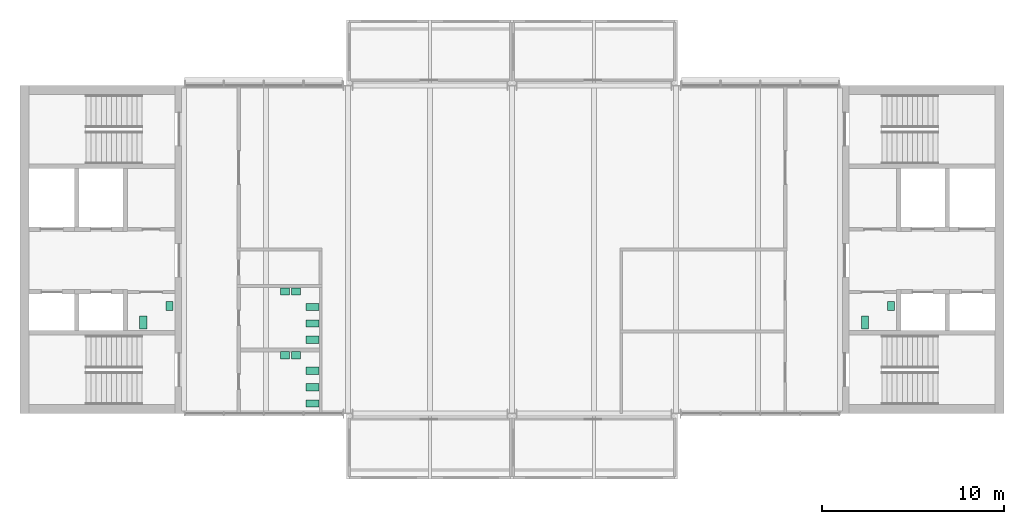
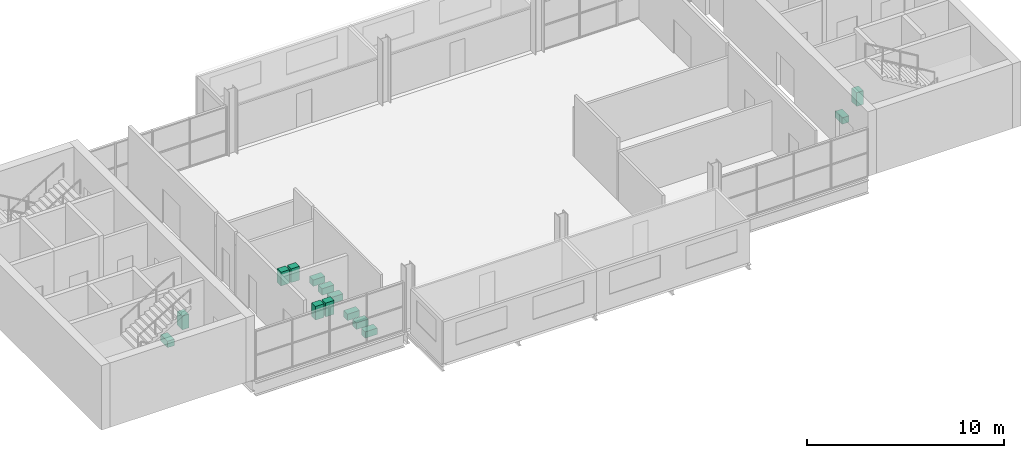
# One storey, part 10 of 10: 14 sanitary terminals.
"""IFC4 building model written with IfcOpenShell, lengths in metres."""

from ifc_helpers import new_model, si_unit, direction, frame, origin, origin_2d, place, context, subcontext, project, spatial, rectangle, extrude, element, save


model = new_model("IFC4")

# Units and contexts
model_context = context("Model", 3, precision=1e-05, world=origin(), true_north=direction((0.0, 1.0)))
body_context = subcontext(model_context, "Body", "Model", "MODEL_VIEW")
ifc_project = project(units=[si_unit("LENGTHUNIT", "METRE"), si_unit("AREAUNIT", "SQUARE_METRE"), si_unit("VOLUMEUNIT", "CUBIC_METRE"), si_unit("PLANEANGLEUNIT", "RADIAN"), si_unit("MASSUNIT", "GRAM", prefix="KILO")], contexts=[model_context])

# Site, building, storey
site_placement = place(None, origin())
site = spatial("IfcSite", under=ifc_project, at=site_placement, CompositionType="ELEMENT")
building_placement = place(site_placement, origin())
building = spatial("IfcBuilding", under=site, at=building_placement, Name="Corbel Yard City Hall", CompositionType="ELEMENT")
storey_placement = place(building_placement, frame((0.0, 0.0, 23.199951171875)))
storey = spatial("IfcBuildingStorey", under=building, at=storey_placement, Name="L05", CompositionType="ELEMENT", Elevation=23.199951171875)

# Sanitary terminals
sanitary_terminal_1_placement = place(storey_placement, frame((46.36669921875, 104.0, 0.0), z_axis=(0.0, 0.0, 1.0), x_axis=(1.0, 0.0, 0.0)))
element("IfcSanitaryTerminal", 1, at=sanitary_terminal_1_placement, inside=storey, Name="Water closet", PredefinedType="TOILETPAN", context=body_context, shape_type="SweptSolid", body=[
    extrude(rectangle(XDim=0.39990234375, YDim=0.699951171875, at=origin_2d()), origin(), (0.0, 0.0, 1.0), 0.39990234375),
])
sanitary_terminal_2_placement = place(storey_placement, frame((47.800048828125, 104.89990234375, 0.0), z_axis=(0.0, 0.0, 1.0), x_axis=(1.0, 0.0, 0.0)))
element("IfcSanitaryTerminal", 2, at=sanitary_terminal_2_placement, inside=storey, Name="Wash basin", PredefinedType="WASHHANDBASIN", context=body_context, shape_type="SweptSolid", body=[
    extrude(rectangle(XDim=0.39990234375, YDim=0.5, at=origin_2d()), origin(), (0.0, 0.0, 1.0), 0.85009765625),
])
sanitary_terminal_3_placement = place(storey_placement, frame((6.7666015625, 104.0, 0.0), z_axis=(0.0, 0.0, 1.0), x_axis=(1.0, 0.0, 0.0)))
element("IfcSanitaryTerminal", 3, at=sanitary_terminal_3_placement, inside=storey, Name="Water closet", PredefinedType="TOILETPAN", context=body_context, shape_type="SweptSolid", body=[
    extrude(rectangle(XDim=0.39990234375, YDim=0.699951171875, at=origin_2d()), origin(), (0.0, 0.0, 1.0), 0.39990234375),
])
sanitary_terminal_4_placement = place(storey_placement, frame((8.199951171875, 104.89990234375, 0.0), z_axis=(0.0, 0.0, 1.0), x_axis=(1.0, 0.0, 0.0)))
element("IfcSanitaryTerminal", 4, at=sanitary_terminal_4_placement, inside=storey, Name="Wash basin", PredefinedType="WASHHANDBASIN", context=body_context, shape_type="SweptSolid", body=[
    extrude(rectangle(XDim=0.39990234375, YDim=0.5, at=origin_2d()), origin(), (0.0, 0.0, 1.0), 0.85009765625),
])
for number, where, z_axis, x_axis, name in (
    (5, (16.050048828125, 99.550048828125, 0.0), (0.0, 0.0, 1.0), (1.0, 0.0, 0.0), "Water closet"),
    (6, (16.050048828125, 100.449951171875, 0.0), (0.0, 0.0, 1.0), (1.0, 0.0, 0.0), "Water closet"),
    (7, (16.050048828125, 101.35009765625, 0.0), (0.0, 0.0, 1.0), (1.0, 0.0, 0.0), "Water closet"),
):
    element("IfcSanitaryTerminal", number, at=place(storey_placement, frame(where, z_axis=z_axis, x_axis=x_axis)), inside=storey, Name=name, PredefinedType="TOILETPAN", context=body_context, shape_type="SweptSolid", body=[
        extrude(rectangle(XDim=0.699951171875, YDim=0.39990234375, at=origin_2d()), origin(), (0.0, 0.0, 1.0), 0.39990234375),
    ])
for number, where, z_axis, x_axis, name in (
    (8, (15.14990234375, 102.199951171875, 0.0), (0.0, 0.0, 1.0), (1.0, 0.0, 0.0), "Wash basin"),
    (9, (14.550048828125, 102.199951171875, 0.0), (0.0, 0.0, 1.0), (1.0, 0.0, 0.0), "Wash basin"),
):
    element("IfcSanitaryTerminal", number, at=place(storey_placement, frame(where, z_axis=z_axis, x_axis=x_axis)), inside=storey, Name=name, PredefinedType="WASHHANDBASIN", context=body_context, shape_type="SweptSolid", body=[
        extrude(rectangle(XDim=0.5, YDim=0.39990234375, at=origin_2d()), origin(), (0.0, 0.0, 1.0), 0.85009765625),
    ])
for number, where, z_axis, x_axis, name in (
    (10, (16.050048828125, 103.050048828125, 0.0), (0.0, 0.0, 1.0), (1.0, 0.0, 0.0), "Water closet"),
    (11, (16.050048828125, 103.949951171875, 0.0), (0.0, 0.0, 1.0), (1.0, 0.0, 0.0), "Water closet"),
    (12, (16.050048828125, 104.85009765625, 0.0), (0.0, 0.0, 1.0), (1.0, 0.0, 0.0), "Water closet"),
):
    element("IfcSanitaryTerminal", number, at=place(storey_placement, frame(where, z_axis=z_axis, x_axis=x_axis)), inside=storey, Name=name, PredefinedType="TOILETPAN", context=body_context, shape_type="SweptSolid", body=[
        extrude(rectangle(XDim=0.699951171875, YDim=0.39990234375, at=origin_2d()), origin(), (0.0, 0.0, 1.0), 0.39990234375),
    ])
for number, where, z_axis, x_axis, name in (
    (13, (15.14990234375, 105.699951171875, 0.0), (0.0, 0.0, 1.0), (1.0, 0.0, 0.0), "Wash basin"),
    (14, (14.550048828125, 105.699951171875, 0.0), (0.0, 0.0, 1.0), (1.0, 0.0, 0.0), "Wash basin"),
):
    element("IfcSanitaryTerminal", number, at=place(storey_placement, frame(where, z_axis=z_axis, x_axis=x_axis)), inside=storey, Name=name, PredefinedType="WASHHANDBASIN", context=body_context, shape_type="SweptSolid", body=[
        extrude(rectangle(XDim=0.5, YDim=0.39990234375, at=origin_2d()), origin(), (0.0, 0.0, 1.0), 0.85009765625),
    ])

save(model, "model.ifc")
